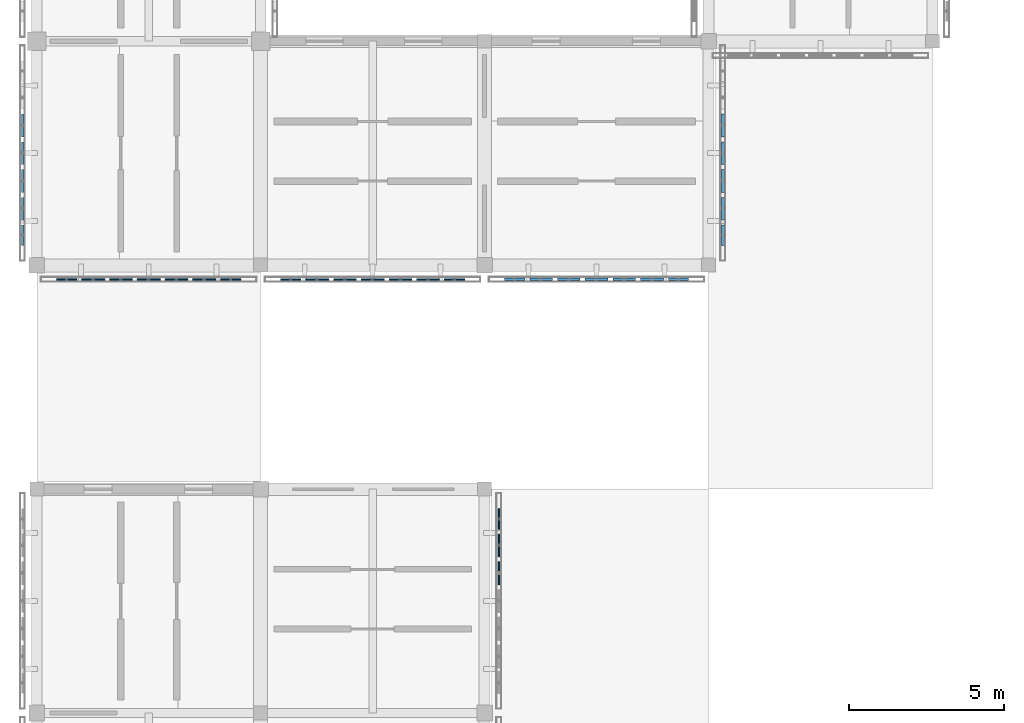
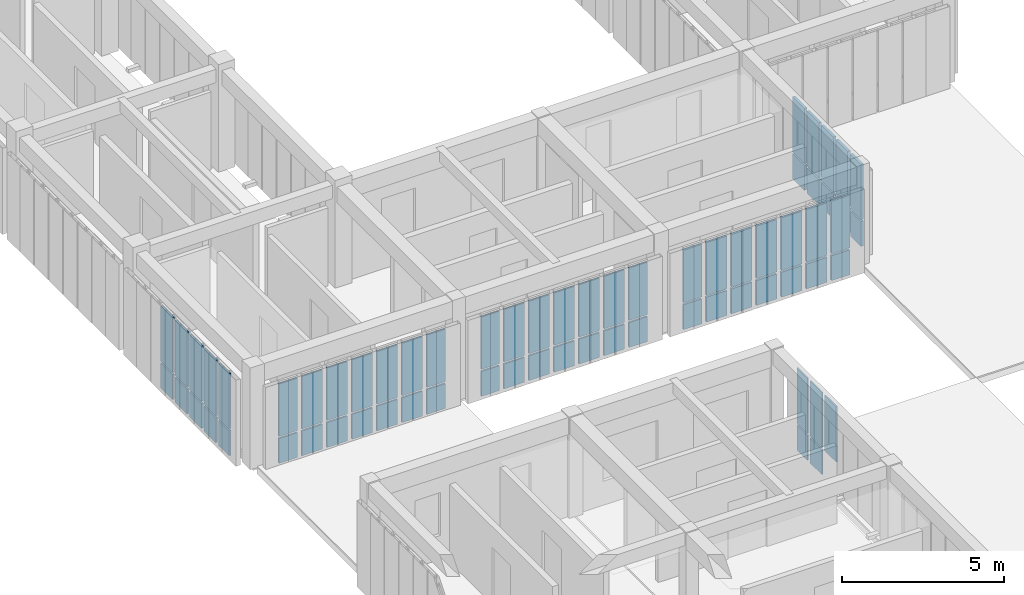
# One storey, part 37 of 67: 67 plates, 6 elements without a shape of their own.
"""IFC4 building model written with IfcOpenShell, lengths in metres."""

from ifc_helpers import new_model, si_unit, direction, frame, origin, origin_2d, place, context, subcontext, project, spatial, rectangle, extrude, material, layer, layer_set, type_object, element, aggregate, save


model = new_model("IFC4")

# Units and contexts
model_context = context("Model", 3, precision=1e-05, world=origin(), true_north=direction((0.0, 1.0)))
body_context = subcontext(model_context, "Body", "Model", "MODEL_VIEW")
ifc_project = project(units=[si_unit("LENGTHUNIT", "METRE"), si_unit("AREAUNIT", "SQUARE_METRE"), si_unit("VOLUMEUNIT", "CUBIC_METRE"), si_unit("PLANEANGLEUNIT", "RADIAN"), si_unit("MASSUNIT", "GRAM", prefix="KILO")], contexts=[model_context])

# Site, building, storey
site_placement = place(None, origin())
site = spatial("IfcSite", under=ifc_project, at=site_placement, CompositionType="ELEMENT")
building_placement = place(site_placement, origin())
building = spatial("IfcBuilding", under=site, at=building_placement, Name="Aldebral Square Health Centre", CompositionType="ELEMENT")
storey_placement = place(building_placement, frame((0.0, 0.0, 13.5)))
storey = spatial("IfcBuildingStorey", under=building, at=storey_placement, Name="L03", CompositionType="ELEMENT", Elevation=13.5)

# Curtain wall, plates
ifc_material_1 = material(Name="Aluminium and low-E solar glass", Category="aluminium")
curtain_wall_type = type_object("IfcCurtainWallType", Name="CW-FIN-SYS", PredefinedType="USERDEFINED", material=ifc_material_1)
curtain_wall_1_placement = place(storey_placement, origin())
curtain_wall_1 = element("IfcCurtainWall", 1, at=curtain_wall_1_placement, inside=storey, type_object=curtain_wall_type, Name="L03 V6 finned curtain wall L03-V6-01-06-E", ObjectType="SOLAR_CURTAIN_WALL", PredefinedType="USERDEFINED")
ifc_material_2 = material(Name="Solar-control low-E double glass", Category="glass")
ifc_layer_1 = layer(ifc_material_2, 0.050048828125, Name="Solar-control low-E double glass", Category="glass")
ifc_layer_set_1 = layer_set([ifc_layer_1], Name="Solar-control low-E double glass")
plate_type_1 = type_object("IfcPlateType", Name="CWP-GLZ-4", PredefinedType="CURTAIN_PANEL", material=ifc_layer_set_1)
plate_1_placement = place(storey_placement, frame((14.860107421875, 47.69140625, 1.08740234375), z_axis=(0.0, 0.0, 1.0), x_axis=(0.0, 1.0, 0.0)))
plate_1 = element("IfcPlate", 2, at=plate_1_placement, type_object=plate_type_1, Name="CW1 panel 5.2", PredefinedType="CURTAIN_PANEL", context=body_context, shape_type="SweptSolid", body=[
    extrude(rectangle(XDim=0.7314453125, YDim=0.050048828125, at=origin_2d()), origin(), (0.0, 0.0, 1.0), 2.077392578125),
])
plate_2_placement = place(storey_placement, frame((14.860107421875, 48.582763671875, 0.074951171875), z_axis=(0.0, 0.0, 1.0), x_axis=(0.0, 1.0, 0.0)))
plate_2 = element("IfcPlate", 3, at=plate_2_placement, type_object=plate_type_1, Name="CW1 panel 6.1", PredefinedType="CURTAIN_PANEL", context=body_context, shape_type="SweptSolid", body=[
    extrude(rectangle(XDim=0.7314453125, YDim=0.050048828125, at=origin_2d()), origin(), (0.0, 0.0, 1.0), 0.9375),
])
plate_3_placement = place(storey_placement, frame((14.860107421875, 48.582763671875, 1.08740234375), z_axis=(0.0, 0.0, 1.0), x_axis=(0.0, 1.0, 0.0)))
plate_3 = element("IfcPlate", 4, at=plate_3_placement, type_object=plate_type_1, Name="CW1 panel 6.2", PredefinedType="CURTAIN_PANEL", context=body_context, shape_type="SweptSolid", body=[
    extrude(rectangle(XDim=0.7314453125, YDim=0.050048828125, at=origin_2d()), origin(), (0.0, 0.0, 1.0), 2.077392578125),
])
plate_4_placement = place(storey_placement, frame((14.860107421875, 49.434326171875, 0.074951171875), z_axis=(0.0, 0.0, 1.0), x_axis=(0.0, 1.0, 0.0)))
plate_4 = element("IfcPlate", 5, at=plate_4_placement, type_object=plate_type_1, Name="CW1 panel 7.1", PredefinedType="CURTAIN_PANEL", context=body_context, shape_type="SweptSolid", body=[
    extrude(rectangle(XDim=0.6513671875, YDim=0.050048828125, at=origin_2d()), origin(), (0.0, 0.0, 1.0), 0.9375),
])
plate_5_placement = place(storey_placement, frame((14.860107421875, 49.434326171875, 1.08740234375), z_axis=(0.0, 0.0, 1.0), x_axis=(0.0, 1.0, 0.0)))
plate_5 = element("IfcPlate", 6, at=plate_5_placement, type_object=plate_type_1, Name="CW1 panel 7.2", PredefinedType="CURTAIN_PANEL", context=body_context, shape_type="SweptSolid", body=[
    extrude(rectangle(XDim=0.6513671875, YDim=0.050048828125, at=origin_2d()), origin(), (0.0, 0.0, 1.0), 2.077392578125),
])
aggregate(curtain_wall_1, [plate_1, plate_2, plate_3, plate_4, plate_5])

curtain_wall_2_placement = place(storey_placement, origin())
curtain_wall_2 = element("IfcCurtainWall", 7, at=curtain_wall_2_placement, inside=storey, type_object=curtain_wall_type, Name="L03 V4 finned curtain wall L03-V4-00-08-S", ObjectType="SOLAR_CURTAIN_WALL", PredefinedType="USERDEFINED")
ifc_layer_2 = layer(ifc_material_2, 0.06005859375, Name="Solar-control low-E double glass", Category="glass")
ifc_layer_set_2 = layer_set([ifc_layer_2], Name="Solar-control low-E double glass")
plate_type_2 = type_object("IfcPlateType", Name="CWP-GLZ-5", PredefinedType="CURTAIN_PANEL", material=ifc_layer_set_2)
plate_6_placement = place(storey_placement, frame((0.9658203125, 57.139892578125, 0.074951171875), z_axis=(0.0, 0.0, 1.0), x_axis=(1.0, 0.0, 0.0)))
plate_6 = element("IfcPlate", 8, at=plate_6_placement, type_object=plate_type_2, Name="CW1 panel 1.1", PredefinedType="CURTAIN_PANEL", context=body_context, shape_type="SweptSolid", body=[
    extrude(rectangle(XDim=0.6513671875, YDim=0.06005859375, at=origin_2d()), origin(), (0.0, 0.0, 1.0), 0.9375),
])
plate_7_placement = place(storey_placement, frame((0.9658203125, 57.139892578125, 1.08740234375), z_axis=(0.0, 0.0, 1.0), x_axis=(1.0, 0.0, 0.0)))
plate_7 = element("IfcPlate", 9, at=plate_7_placement, type_object=plate_type_2, Name="CW1 panel 1.2", PredefinedType="CURTAIN_PANEL", context=body_context, shape_type="SweptSolid", body=[
    extrude(rectangle(XDim=0.6513671875, YDim=0.06005859375, at=origin_2d()), origin(), (0.0, 0.0, 1.0), 1.9775390625),
])
plate_8_placement = place(storey_placement, frame((1.817138671875, 57.139892578125, 0.074951171875), z_axis=(0.0, 0.0, 1.0), x_axis=(1.0, 0.0, 0.0)))
plate_8 = element("IfcPlate", 10, at=plate_8_placement, type_object=plate_type_2, Name="CW1 panel 2.1", PredefinedType="CURTAIN_PANEL", context=body_context, shape_type="SweptSolid", body=[
    extrude(rectangle(XDim=0.7314453125, YDim=0.06005859375, at=origin_2d()), origin(), (0.0, 0.0, 1.0), 0.9375),
])
plate_9_placement = place(storey_placement, frame((1.817138671875, 57.139892578125, 1.08740234375), z_axis=(0.0, 0.0, 1.0), x_axis=(1.0, 0.0, 0.0)))
plate_9 = element("IfcPlate", 11, at=plate_9_placement, type_object=plate_type_2, Name="CW1 panel 2.2", PredefinedType="CURTAIN_PANEL", context=body_context, shape_type="SweptSolid", body=[
    extrude(rectangle(XDim=0.7314453125, YDim=0.06005859375, at=origin_2d()), origin(), (0.0, 0.0, 1.0), 1.9775390625),
])
plate_10_placement = place(storey_placement, frame((2.70849609375, 57.139892578125, 0.074951171875), z_axis=(0.0, 0.0, 1.0), x_axis=(1.0, 0.0, 0.0)))
plate_10 = element("IfcPlate", 12, at=plate_10_placement, type_object=plate_type_2, Name="CW1 panel 3.1", PredefinedType="CURTAIN_PANEL", context=body_context, shape_type="SweptSolid", body=[
    extrude(rectangle(XDim=0.7314453125, YDim=0.06005859375, at=origin_2d()), origin(), (0.0, 0.0, 1.0), 0.9375),
])
plate_11_placement = place(storey_placement, frame((2.70849609375, 57.139892578125, 1.08740234375), z_axis=(0.0, 0.0, 1.0), x_axis=(1.0, 0.0, 0.0)))
plate_11 = element("IfcPlate", 13, at=plate_11_placement, type_object=plate_type_2, Name="CW1 panel 3.2", PredefinedType="CURTAIN_PANEL", context=body_context, shape_type="SweptSolid", body=[
    extrude(rectangle(XDim=0.7314453125, YDim=0.06005859375, at=origin_2d()), origin(), (0.0, 0.0, 1.0), 1.9775390625),
])
plate_12_placement = place(storey_placement, frame((3.60009765625, 57.139892578125, 0.074951171875), z_axis=(0.0, 0.0, 1.0), x_axis=(1.0, 0.0, 0.0)))
plate_12 = element("IfcPlate", 14, at=plate_12_placement, type_object=plate_type_2, Name="CW1 panel 4.1", PredefinedType="CURTAIN_PANEL", context=body_context, shape_type="SweptSolid", body=[
    extrude(rectangle(XDim=0.7314453125, YDim=0.06005859375, at=origin_2d()), origin(), (0.0, 0.0, 1.0), 0.9375),
])
plate_13_placement = place(storey_placement, frame((3.60009765625, 57.139892578125, 1.08740234375), z_axis=(0.0, 0.0, 1.0), x_axis=(1.0, 0.0, 0.0)))
plate_13 = element("IfcPlate", 15, at=plate_13_placement, type_object=plate_type_2, Name="CW1 panel 4.2", PredefinedType="CURTAIN_PANEL", context=body_context, shape_type="SweptSolid", body=[
    extrude(rectangle(XDim=0.7314453125, YDim=0.06005859375, at=origin_2d()), origin(), (0.0, 0.0, 1.0), 1.9775390625),
])
plate_14_placement = place(storey_placement, frame((4.491455078125, 57.139892578125, 0.074951171875), z_axis=(0.0, 0.0, 1.0), x_axis=(1.0, 0.0, 0.0)))
plate_14 = element("IfcPlate", 16, at=plate_14_placement, type_object=plate_type_2, Name="CW1 panel 5.1", PredefinedType="CURTAIN_PANEL", context=body_context, shape_type="SweptSolid", body=[
    extrude(rectangle(XDim=0.7314453125, YDim=0.06005859375, at=origin_2d()), origin(), (0.0, 0.0, 1.0), 0.9375),
])
plate_15_placement = place(storey_placement, frame((4.491455078125, 57.139892578125, 1.08740234375), z_axis=(0.0, 0.0, 1.0), x_axis=(1.0, 0.0, 0.0)))
plate_15 = element("IfcPlate", 17, at=plate_15_placement, type_object=plate_type_2, Name="CW1 panel 5.2", PredefinedType="CURTAIN_PANEL", context=body_context, shape_type="SweptSolid", body=[
    extrude(rectangle(XDim=0.7314453125, YDim=0.06005859375, at=origin_2d()), origin(), (0.0, 0.0, 1.0), 1.9775390625),
])
plate_16_placement = place(storey_placement, frame((5.3828125, 57.139892578125, 0.074951171875), z_axis=(0.0, 0.0, 1.0), x_axis=(1.0, 0.0, 0.0)))
plate_16 = element("IfcPlate", 18, at=plate_16_placement, type_object=plate_type_2, Name="CW1 panel 6.1", PredefinedType="CURTAIN_PANEL", context=body_context, shape_type="SweptSolid", body=[
    extrude(rectangle(XDim=0.7314453125, YDim=0.06005859375, at=origin_2d()), origin(), (0.0, 0.0, 1.0), 0.9375),
])
plate_17_placement = place(storey_placement, frame((5.3828125, 57.139892578125, 1.08740234375), z_axis=(0.0, 0.0, 1.0), x_axis=(1.0, 0.0, 0.0)))
plate_17 = element("IfcPlate", 19, at=plate_17_placement, type_object=plate_type_2, Name="CW1 panel 6.2", PredefinedType="CURTAIN_PANEL", context=body_context, shape_type="SweptSolid", body=[
    extrude(rectangle(XDim=0.7314453125, YDim=0.06005859375, at=origin_2d()), origin(), (0.0, 0.0, 1.0), 1.9775390625),
])
plate_18_placement = place(storey_placement, frame((6.234375, 57.139892578125, 0.074951171875), z_axis=(0.0, 0.0, 1.0), x_axis=(1.0, 0.0, 0.0)))
plate_18 = element("IfcPlate", 20, at=plate_18_placement, type_object=plate_type_2, Name="CW1 panel 7.1", PredefinedType="CURTAIN_PANEL", context=body_context, shape_type="SweptSolid", body=[
    extrude(rectangle(XDim=0.6513671875, YDim=0.06005859375, at=origin_2d()), origin(), (0.0, 0.0, 1.0), 0.9375),
])
plate_19_placement = place(storey_placement, frame((6.234375, 57.139892578125, 1.08740234375), z_axis=(0.0, 0.0, 1.0), x_axis=(1.0, 0.0, 0.0)))
plate_19 = element("IfcPlate", 21, at=plate_19_placement, type_object=plate_type_2, Name="CW1 panel 7.2", PredefinedType="CURTAIN_PANEL", context=body_context, shape_type="SweptSolid", body=[
    extrude(rectangle(XDim=0.6513671875, YDim=0.06005859375, at=origin_2d()), origin(), (0.0, 0.0, 1.0), 1.9775390625),
])
aggregate(curtain_wall_2, [plate_6, plate_7, plate_8, plate_9, plate_10, plate_11, plate_12, plate_13, plate_14, plate_15, plate_16, plate_17, plate_18, plate_19])

curtain_wall_3_placement = place(storey_placement, origin())
curtain_wall_3 = element("IfcCurtainWall", 22, at=curtain_wall_3_placement, inside=storey, type_object=curtain_wall_type, Name="L03 V4 finned curtain wall L03-V4-01-08-S", ObjectType="SOLAR_CURTAIN_WALL", PredefinedType="USERDEFINED")
plate_20_placement = place(storey_placement, frame((8.165771484375, 57.139892578125, 0.074951171875), z_axis=(0.0, 0.0, 1.0), x_axis=(1.0, 0.0, 0.0)))
plate_20 = element("IfcPlate", 23, at=plate_20_placement, type_object=plate_type_2, Name="CW1 panel 1.1", PredefinedType="CURTAIN_PANEL", context=body_context, shape_type="SweptSolid", body=[
    extrude(rectangle(XDim=0.6513671875, YDim=0.06005859375, at=origin_2d()), origin(), (0.0, 0.0, 1.0), 0.9375),
])
plate_21_placement = place(storey_placement, frame((8.165771484375, 57.139892578125, 1.08740234375), z_axis=(0.0, 0.0, 1.0), x_axis=(1.0, 0.0, 0.0)))
plate_21 = element("IfcPlate", 24, at=plate_21_placement, type_object=plate_type_2, Name="CW1 panel 1.2", PredefinedType="CURTAIN_PANEL", context=body_context, shape_type="SweptSolid", body=[
    extrude(rectangle(XDim=0.6513671875, YDim=0.06005859375, at=origin_2d()), origin(), (0.0, 0.0, 1.0), 1.9775390625),
])
plate_22_placement = place(storey_placement, frame((9.01708984375, 57.139892578125, 0.074951171875), z_axis=(0.0, 0.0, 1.0), x_axis=(1.0, 0.0, 0.0)))
plate_22 = element("IfcPlate", 25, at=plate_22_placement, type_object=plate_type_2, Name="CW1 panel 2.1", PredefinedType="CURTAIN_PANEL", context=body_context, shape_type="SweptSolid", body=[
    extrude(rectangle(XDim=0.7314453125, YDim=0.06005859375, at=origin_2d()), origin(), (0.0, 0.0, 1.0), 0.9375),
])
plate_23_placement = place(storey_placement, frame((9.01708984375, 57.139892578125, 1.08740234375), z_axis=(0.0, 0.0, 1.0), x_axis=(1.0, 0.0, 0.0)))
plate_23 = element("IfcPlate", 26, at=plate_23_placement, type_object=plate_type_2, Name="CW1 panel 2.2", PredefinedType="CURTAIN_PANEL", context=body_context, shape_type="SweptSolid", body=[
    extrude(rectangle(XDim=0.7314453125, YDim=0.06005859375, at=origin_2d()), origin(), (0.0, 0.0, 1.0), 1.9775390625),
])
plate_24_placement = place(storey_placement, frame((9.90869140625, 57.139892578125, 0.074951171875), z_axis=(0.0, 0.0, 1.0), x_axis=(1.0, 0.0, 0.0)))
plate_24 = element("IfcPlate", 27, at=plate_24_placement, type_object=plate_type_2, Name="CW1 panel 3.1", PredefinedType="CURTAIN_PANEL", context=body_context, shape_type="SweptSolid", body=[
    extrude(rectangle(XDim=0.7314453125, YDim=0.06005859375, at=origin_2d()), origin(), (0.0, 0.0, 1.0), 0.9375),
])
plate_25_placement = place(storey_placement, frame((9.90869140625, 57.139892578125, 1.08740234375), z_axis=(0.0, 0.0, 1.0), x_axis=(1.0, 0.0, 0.0)))
plate_25 = element("IfcPlate", 28, at=plate_25_placement, type_object=plate_type_2, Name="CW1 panel 3.2", PredefinedType="CURTAIN_PANEL", context=body_context, shape_type="SweptSolid", body=[
    extrude(rectangle(XDim=0.7314453125, YDim=0.06005859375, at=origin_2d()), origin(), (0.0, 0.0, 1.0), 1.9775390625),
])
plate_26_placement = place(storey_placement, frame((10.800048828125, 57.139892578125, 0.074951171875), z_axis=(0.0, 0.0, 1.0), x_axis=(1.0, 0.0, 0.0)))
plate_26 = element("IfcPlate", 29, at=plate_26_placement, type_object=plate_type_2, Name="CW1 panel 4.1", PredefinedType="CURTAIN_PANEL", context=body_context, shape_type="SweptSolid", body=[
    extrude(rectangle(XDim=0.7314453125, YDim=0.06005859375, at=origin_2d()), origin(), (0.0, 0.0, 1.0), 0.9375),
])
plate_27_placement = place(storey_placement, frame((10.800048828125, 57.139892578125, 1.08740234375), z_axis=(0.0, 0.0, 1.0), x_axis=(1.0, 0.0, 0.0)))
plate_27 = element("IfcPlate", 30, at=plate_27_placement, type_object=plate_type_2, Name="CW1 panel 4.2", PredefinedType="CURTAIN_PANEL", context=body_context, shape_type="SweptSolid", body=[
    extrude(rectangle(XDim=0.7314453125, YDim=0.06005859375, at=origin_2d()), origin(), (0.0, 0.0, 1.0), 1.9775390625),
])
plate_28_placement = place(storey_placement, frame((11.69140625, 57.139892578125, 0.074951171875), z_axis=(0.0, 0.0, 1.0), x_axis=(1.0, 0.0, 0.0)))
plate_28 = element("IfcPlate", 31, at=plate_28_placement, type_object=plate_type_2, Name="CW1 panel 5.1", PredefinedType="CURTAIN_PANEL", context=body_context, shape_type="SweptSolid", body=[
    extrude(rectangle(XDim=0.7314453125, YDim=0.06005859375, at=origin_2d()), origin(), (0.0, 0.0, 1.0), 0.9375),
])
plate_29_placement = place(storey_placement, frame((11.69140625, 57.139892578125, 1.08740234375), z_axis=(0.0, 0.0, 1.0), x_axis=(1.0, 0.0, 0.0)))
plate_29 = element("IfcPlate", 32, at=plate_29_placement, type_object=plate_type_2, Name="CW1 panel 5.2", PredefinedType="CURTAIN_PANEL", context=body_context, shape_type="SweptSolid", body=[
    extrude(rectangle(XDim=0.7314453125, YDim=0.06005859375, at=origin_2d()), origin(), (0.0, 0.0, 1.0), 1.9775390625),
])
plate_30_placement = place(storey_placement, frame((12.582763671875, 57.139892578125, 0.074951171875), z_axis=(0.0, 0.0, 1.0), x_axis=(1.0, 0.0, 0.0)))
plate_30 = element("IfcPlate", 33, at=plate_30_placement, type_object=plate_type_2, Name="CW1 panel 6.1", PredefinedType="CURTAIN_PANEL", context=body_context, shape_type="SweptSolid", body=[
    extrude(rectangle(XDim=0.7314453125, YDim=0.06005859375, at=origin_2d()), origin(), (0.0, 0.0, 1.0), 0.9375),
])
plate_31_placement = place(storey_placement, frame((12.582763671875, 57.139892578125, 1.08740234375), z_axis=(0.0, 0.0, 1.0), x_axis=(1.0, 0.0, 0.0)))
plate_31 = element("IfcPlate", 34, at=plate_31_placement, type_object=plate_type_2, Name="CW1 panel 6.2", PredefinedType="CURTAIN_PANEL", context=body_context, shape_type="SweptSolid", body=[
    extrude(rectangle(XDim=0.7314453125, YDim=0.06005859375, at=origin_2d()), origin(), (0.0, 0.0, 1.0), 1.9775390625),
])
plate_32_placement = place(storey_placement, frame((13.434326171875, 57.139892578125, 0.074951171875), z_axis=(0.0, 0.0, 1.0), x_axis=(1.0, 0.0, 0.0)))
plate_32 = element("IfcPlate", 35, at=plate_32_placement, type_object=plate_type_2, Name="CW1 panel 7.1", PredefinedType="CURTAIN_PANEL", context=body_context, shape_type="SweptSolid", body=[
    extrude(rectangle(XDim=0.6513671875, YDim=0.06005859375, at=origin_2d()), origin(), (0.0, 0.0, 1.0), 0.9375),
])
plate_33_placement = place(storey_placement, frame((13.434326171875, 57.139892578125, 1.08740234375), z_axis=(0.0, 0.0, 1.0), x_axis=(1.0, 0.0, 0.0)))
plate_33 = element("IfcPlate", 36, at=plate_33_placement, type_object=plate_type_2, Name="CW1 panel 7.2", PredefinedType="CURTAIN_PANEL", context=body_context, shape_type="SweptSolid", body=[
    extrude(rectangle(XDim=0.6513671875, YDim=0.06005859375, at=origin_2d()), origin(), (0.0, 0.0, 1.0), 1.9775390625),
])
aggregate(curtain_wall_3, [plate_20, plate_21, plate_22, plate_23, plate_24, plate_25, plate_26, plate_27, plate_28, plate_29, plate_30, plate_31, plate_32, plate_33])

curtain_wall_4_placement = place(storey_placement, origin())
curtain_wall_4 = element("IfcCurtainWall", 37, at=curtain_wall_4_placement, inside=storey, type_object=curtain_wall_type, Name="L03 V4 finned curtain wall L03-V4-00-08-W", ObjectType="SOLAR_CURTAIN_WALL", PredefinedType="USERDEFINED")
ifc_layer_3 = layer(ifc_material_2, 0.070068359375, Name="Solar-control low-E double glass", Category="glass")
ifc_layer_set_3 = layer_set([ifc_layer_3], Name="Solar-control low-E double glass")
plate_type_3 = type_object("IfcPlateType", Name="CWP-GLZ-6", PredefinedType="CURTAIN_PANEL", material=ifc_layer_set_3)
plate_34_placement = place(storey_placement, frame((-0.4599609375, 62.09130859375, 0.074951171875), z_axis=(0.0, 0.0, 1.0), x_axis=(0.0, -1.0, 0.0)))
plate_34 = element("IfcPlate", 38, at=plate_34_placement, type_object=plate_type_3, Name="CW1 panel 3.1", PredefinedType="CURTAIN_PANEL", context=body_context, shape_type="SweptSolid", body=[
    extrude(rectangle(XDim=0.7314453125, YDim=0.070068359375, at=origin_2d()), origin(), (0.0, 0.0, 1.0), 0.9375),
])
plate_35_placement = place(storey_placement, frame((-0.4599609375, 62.09130859375, 1.08740234375), z_axis=(0.0, 0.0, 1.0), x_axis=(0.0, -1.0, 0.0)))
plate_35 = element("IfcPlate", 39, at=plate_35_placement, type_object=plate_type_3, Name="CW1 panel 3.2", PredefinedType="CURTAIN_PANEL", context=body_context, shape_type="SweptSolid", body=[
    extrude(rectangle(XDim=0.7314453125, YDim=0.070068359375, at=origin_2d()), origin(), (0.0, 0.0, 1.0), 2.077392578125),
])
plate_36_placement = place(storey_placement, frame((-0.4599609375, 61.199951171875, 0.074951171875), z_axis=(0.0, 0.0, 1.0), x_axis=(0.0, -1.0, 0.0)))
plate_36 = element("IfcPlate", 40, at=plate_36_placement, type_object=plate_type_3, Name="CW1 panel 4.1", PredefinedType="CURTAIN_PANEL", context=body_context, shape_type="SweptSolid", body=[
    extrude(rectangle(XDim=0.7314453125, YDim=0.070068359375, at=origin_2d()), origin(), (0.0, 0.0, 1.0), 0.9375),
])
plate_37_placement = place(storey_placement, frame((-0.4599609375, 61.199951171875, 1.08740234375), z_axis=(0.0, 0.0, 1.0), x_axis=(0.0, -1.0, 0.0)))
plate_37 = element("IfcPlate", 41, at=plate_37_placement, type_object=plate_type_3, Name="CW1 panel 4.2", PredefinedType="CURTAIN_PANEL", context=body_context, shape_type="SweptSolid", body=[
    extrude(rectangle(XDim=0.7314453125, YDim=0.070068359375, at=origin_2d()), origin(), (0.0, 0.0, 1.0), 2.077392578125),
])
plate_38_placement = place(storey_placement, frame((-0.4599609375, 60.30859375, 0.074951171875), z_axis=(0.0, 0.0, 1.0), x_axis=(0.0, -1.0, 0.0)))
plate_38 = element("IfcPlate", 42, at=plate_38_placement, type_object=plate_type_3, Name="CW1 panel 5.1", PredefinedType="CURTAIN_PANEL", context=body_context, shape_type="SweptSolid", body=[
    extrude(rectangle(XDim=0.7314453125, YDim=0.070068359375, at=origin_2d()), origin(), (0.0, 0.0, 1.0), 0.9375),
])
plate_39_placement = place(storey_placement, frame((-0.4599609375, 60.30859375, 1.08740234375), z_axis=(0.0, 0.0, 1.0), x_axis=(0.0, -1.0, 0.0)))
plate_39 = element("IfcPlate", 43, at=plate_39_placement, type_object=plate_type_3, Name="CW1 panel 5.2", PredefinedType="CURTAIN_PANEL", context=body_context, shape_type="SweptSolid", body=[
    extrude(rectangle(XDim=0.7314453125, YDim=0.070068359375, at=origin_2d()), origin(), (0.0, 0.0, 1.0), 2.077392578125),
])
plate_40_placement = place(storey_placement, frame((-0.4599609375, 59.417236328125, 0.074951171875), z_axis=(0.0, 0.0, 1.0), x_axis=(0.0, -1.0, 0.0)))
plate_40 = element("IfcPlate", 44, at=plate_40_placement, type_object=plate_type_3, Name="CW1 panel 6.1", PredefinedType="CURTAIN_PANEL", context=body_context, shape_type="SweptSolid", body=[
    extrude(rectangle(XDim=0.7314453125, YDim=0.070068359375, at=origin_2d()), origin(), (0.0, 0.0, 1.0), 0.9375),
])
plate_41_placement = place(storey_placement, frame((-0.4599609375, 59.417236328125, 1.08740234375), z_axis=(0.0, 0.0, 1.0), x_axis=(0.0, -1.0, 0.0)))
plate_41 = element("IfcPlate", 45, at=plate_41_placement, type_object=plate_type_3, Name="CW1 panel 6.2", PredefinedType="CURTAIN_PANEL", context=body_context, shape_type="SweptSolid", body=[
    extrude(rectangle(XDim=0.7314453125, YDim=0.070068359375, at=origin_2d()), origin(), (0.0, 0.0, 1.0), 2.077392578125),
])
plate_42_placement = place(storey_placement, frame((-0.4599609375, 58.565673828125, 0.074951171875), z_axis=(0.0, 0.0, 1.0), x_axis=(0.0, -1.0, 0.0)))
plate_42 = element("IfcPlate", 46, at=plate_42_placement, type_object=plate_type_3, Name="CW1 panel 7.1", PredefinedType="CURTAIN_PANEL", context=body_context, shape_type="SweptSolid", body=[
    extrude(rectangle(XDim=0.6513671875, YDim=0.070068359375, at=origin_2d()), origin(), (0.0, 0.0, 1.0), 0.9375),
])
plate_43_placement = place(storey_placement, frame((-0.4599609375, 58.565673828125, 1.08740234375), z_axis=(0.0, 0.0, 1.0), x_axis=(0.0, -1.0, 0.0)))
plate_43 = element("IfcPlate", 47, at=plate_43_placement, type_object=plate_type_3, Name="CW1 panel 7.2", PredefinedType="CURTAIN_PANEL", context=body_context, shape_type="SweptSolid", body=[
    extrude(rectangle(XDim=0.6513671875, YDim=0.070068359375, at=origin_2d()), origin(), (0.0, 0.0, 1.0), 2.077392578125),
])
aggregate(curtain_wall_4, [plate_34, plate_35, plate_36, plate_37, plate_38, plate_39, plate_40, plate_41, plate_42, plate_43])

curtain_wall_5_placement = place(storey_placement, origin())
curtain_wall_5 = element("IfcCurtainWall", 48, at=curtain_wall_5_placement, inside=storey, type_object=curtain_wall_type, Name="L03 V4 finned curtain wall L03-V4-02-08-S", ObjectType="SOLAR_CURTAIN_WALL", PredefinedType="USERDEFINED")
ifc_layer_4 = layer(ifc_material_2, 0.080078125, Name="Solar-control low-E double glass", Category="glass")
ifc_layer_set_4 = layer_set([ifc_layer_4], Name="Solar-control low-E double glass")
plate_type_4 = type_object("IfcPlateType", Name="CWP-GLZ-7", PredefinedType="CURTAIN_PANEL", material=ifc_layer_set_4)
plate_44_placement = place(storey_placement, frame((15.36572265625, 57.139892578125, 0.074951171875), z_axis=(0.0, 0.0, 1.0), x_axis=(1.0, 0.0, 0.0)))
plate_44 = element("IfcPlate", 49, at=plate_44_placement, type_object=plate_type_4, Name="CW1 panel 1.1", PredefinedType="CURTAIN_PANEL", context=body_context, shape_type="SweptSolid", body=[
    extrude(rectangle(XDim=0.6513671875, YDim=0.080078125, at=origin_2d()), origin(), (0.0, 0.0, 1.0), 0.9375),
])
plate_45_placement = place(storey_placement, frame((15.36572265625, 57.139892578125, 1.08740234375), z_axis=(0.0, 0.0, 1.0), x_axis=(1.0, 0.0, 0.0)))
plate_45 = element("IfcPlate", 50, at=plate_45_placement, type_object=plate_type_4, Name="CW1 panel 1.2", PredefinedType="CURTAIN_PANEL", context=body_context, shape_type="SweptSolid", body=[
    extrude(rectangle(XDim=0.6513671875, YDim=0.080078125, at=origin_2d()), origin(), (0.0, 0.0, 1.0), 1.9775390625),
])
plate_46_placement = place(storey_placement, frame((16.217041015625, 57.139892578125, 0.074951171875), z_axis=(0.0, 0.0, 1.0), x_axis=(1.0, 0.0, 0.0)))
plate_46 = element("IfcPlate", 51, at=plate_46_placement, type_object=plate_type_4, Name="CW1 panel 2.1", PredefinedType="CURTAIN_PANEL", context=body_context, shape_type="SweptSolid", body=[
    extrude(rectangle(XDim=0.7314453125, YDim=0.080078125, at=origin_2d()), origin(), (0.0, 0.0, 1.0), 0.9375),
])
plate_47_placement = place(storey_placement, frame((16.217041015625, 57.139892578125, 1.08740234375), z_axis=(0.0, 0.0, 1.0), x_axis=(1.0, 0.0, 0.0)))
plate_47 = element("IfcPlate", 52, at=plate_47_placement, type_object=plate_type_4, Name="CW1 panel 2.2", PredefinedType="CURTAIN_PANEL", context=body_context, shape_type="SweptSolid", body=[
    extrude(rectangle(XDim=0.7314453125, YDim=0.080078125, at=origin_2d()), origin(), (0.0, 0.0, 1.0), 1.9775390625),
])
plate_48_placement = place(storey_placement, frame((17.108642578125, 57.139892578125, 0.074951171875), z_axis=(0.0, 0.0, 1.0), x_axis=(1.0, 0.0, 0.0)))
plate_48 = element("IfcPlate", 53, at=plate_48_placement, type_object=plate_type_4, Name="CW1 panel 3.1", PredefinedType="CURTAIN_PANEL", context=body_context, shape_type="SweptSolid", body=[
    extrude(rectangle(XDim=0.7314453125, YDim=0.080078125, at=origin_2d()), origin(), (0.0, 0.0, 1.0), 0.9375),
])
plate_49_placement = place(storey_placement, frame((17.108642578125, 57.139892578125, 1.08740234375), z_axis=(0.0, 0.0, 1.0), x_axis=(1.0, 0.0, 0.0)))
plate_49 = element("IfcPlate", 54, at=plate_49_placement, type_object=plate_type_4, Name="CW1 panel 3.2", PredefinedType="CURTAIN_PANEL", context=body_context, shape_type="SweptSolid", body=[
    extrude(rectangle(XDim=0.7314453125, YDim=0.080078125, at=origin_2d()), origin(), (0.0, 0.0, 1.0), 1.9775390625),
])
plate_50_placement = place(storey_placement, frame((18.0, 57.139892578125, 0.074951171875), z_axis=(0.0, 0.0, 1.0), x_axis=(1.0, 0.0, 0.0)))
plate_50 = element("IfcPlate", 55, at=plate_50_placement, type_object=plate_type_4, Name="CW1 panel 4.1", PredefinedType="CURTAIN_PANEL", context=body_context, shape_type="SweptSolid", body=[
    extrude(rectangle(XDim=0.7314453125, YDim=0.080078125, at=origin_2d()), origin(), (0.0, 0.0, 1.0), 0.9375),
])
plate_51_placement = place(storey_placement, frame((18.0, 57.139892578125, 1.08740234375), z_axis=(0.0, 0.0, 1.0), x_axis=(1.0, 0.0, 0.0)))
plate_51 = element("IfcPlate", 56, at=plate_51_placement, type_object=plate_type_4, Name="CW1 panel 4.2", PredefinedType="CURTAIN_PANEL", context=body_context, shape_type="SweptSolid", body=[
    extrude(rectangle(XDim=0.7314453125, YDim=0.080078125, at=origin_2d()), origin(), (0.0, 0.0, 1.0), 1.9775390625),
])
plate_52_placement = place(storey_placement, frame((18.891357421875, 57.139892578125, 0.074951171875), z_axis=(0.0, 0.0, 1.0), x_axis=(1.0, 0.0, 0.0)))
plate_52 = element("IfcPlate", 57, at=plate_52_placement, type_object=plate_type_4, Name="CW1 panel 5.1", PredefinedType="CURTAIN_PANEL", context=body_context, shape_type="SweptSolid", body=[
    extrude(rectangle(XDim=0.7314453125, YDim=0.080078125, at=origin_2d()), origin(), (0.0, 0.0, 1.0), 0.9375),
])
plate_53_placement = place(storey_placement, frame((18.891357421875, 57.139892578125, 1.08740234375), z_axis=(0.0, 0.0, 1.0), x_axis=(1.0, 0.0, 0.0)))
plate_53 = element("IfcPlate", 58, at=plate_53_placement, type_object=plate_type_4, Name="CW1 panel 5.2", PredefinedType="CURTAIN_PANEL", context=body_context, shape_type="SweptSolid", body=[
    extrude(rectangle(XDim=0.7314453125, YDim=0.080078125, at=origin_2d()), origin(), (0.0, 0.0, 1.0), 1.9775390625),
])
plate_54_placement = place(storey_placement, frame((19.782958984375, 57.139892578125, 0.074951171875), z_axis=(0.0, 0.0, 1.0), x_axis=(1.0, 0.0, 0.0)))
plate_54 = element("IfcPlate", 59, at=plate_54_placement, type_object=plate_type_4, Name="CW1 panel 6.1", PredefinedType="CURTAIN_PANEL", context=body_context, shape_type="SweptSolid", body=[
    extrude(rectangle(XDim=0.7314453125, YDim=0.080078125, at=origin_2d()), origin(), (0.0, 0.0, 1.0), 0.9375),
])
plate_55_placement = place(storey_placement, frame((19.782958984375, 57.139892578125, 1.08740234375), z_axis=(0.0, 0.0, 1.0), x_axis=(1.0, 0.0, 0.0)))
plate_55 = element("IfcPlate", 60, at=plate_55_placement, type_object=plate_type_4, Name="CW1 panel 6.2", PredefinedType="CURTAIN_PANEL", context=body_context, shape_type="SweptSolid", body=[
    extrude(rectangle(XDim=0.7314453125, YDim=0.080078125, at=origin_2d()), origin(), (0.0, 0.0, 1.0), 1.9775390625),
])
plate_56_placement = place(storey_placement, frame((20.63427734375, 57.139892578125, 0.074951171875), z_axis=(0.0, 0.0, 1.0), x_axis=(1.0, 0.0, 0.0)))
plate_56 = element("IfcPlate", 61, at=plate_56_placement, type_object=plate_type_4, Name="CW1 panel 7.1", PredefinedType="CURTAIN_PANEL", context=body_context, shape_type="SweptSolid", body=[
    extrude(rectangle(XDim=0.6513671875, YDim=0.080078125, at=origin_2d()), origin(), (0.0, 0.0, 1.0), 0.9375),
])
plate_57_placement = place(storey_placement, frame((20.63427734375, 57.139892578125, 1.08740234375), z_axis=(0.0, 0.0, 1.0), x_axis=(1.0, 0.0, 0.0)))
plate_57 = element("IfcPlate", 62, at=plate_57_placement, type_object=plate_type_4, Name="CW1 panel 7.2", PredefinedType="CURTAIN_PANEL", context=body_context, shape_type="SweptSolid", body=[
    extrude(rectangle(XDim=0.6513671875, YDim=0.080078125, at=origin_2d()), origin(), (0.0, 0.0, 1.0), 1.9775390625),
])
aggregate(curtain_wall_5, [plate_44, plate_45, plate_46, plate_47, plate_48, plate_49, plate_50, plate_51, plate_52, plate_53, plate_54, plate_55, plate_56, plate_57])

curtain_wall_6_placement = place(storey_placement, origin())
curtain_wall_6 = element("IfcCurtainWall", 63, at=curtain_wall_6_placement, inside=storey, type_object=curtain_wall_type, Name="L03 V4 finned curtain wall L03-V4-02-08-E", ObjectType="SOLAR_CURTAIN_WALL", PredefinedType="USERDEFINED")
ifc_layer_5 = layer(ifc_material_2, 0.090087890625, Name="Solar-control low-E double glass", Category="glass")
ifc_layer_set_5 = layer_set([ifc_layer_5], Name="Solar-control low-E double glass")
plate_type_5 = type_object("IfcPlateType", Name="CWP-GLZ-8", PredefinedType="CURTAIN_PANEL", material=ifc_layer_set_5)
plate_58_placement = place(storey_placement, frame((22.06005859375, 58.565673828125, 0.074951171875), z_axis=(0.0, 0.0, 1.0), x_axis=(0.0, 1.0, 0.0)))
plate_58 = element("IfcPlate", 64, at=plate_58_placement, type_object=plate_type_5, Name="CW1 panel 1.1", PredefinedType="CURTAIN_PANEL", context=body_context, shape_type="SweptSolid", body=[
    extrude(rectangle(XDim=0.6513671875, YDim=0.090087890625, at=origin_2d()), origin(), (0.0, 0.0, 1.0), 0.9375),
])
plate_59_placement = place(storey_placement, frame((22.06005859375, 58.565673828125, 1.08740234375), z_axis=(0.0, 0.0, 1.0), x_axis=(0.0, 1.0, 0.0)))
plate_59 = element("IfcPlate", 65, at=plate_59_placement, type_object=plate_type_5, Name="CW1 panel 1.2", PredefinedType="CURTAIN_PANEL", context=body_context, shape_type="SweptSolid", body=[
    extrude(rectangle(XDim=0.6513671875, YDim=0.090087890625, at=origin_2d()), origin(), (0.0, 0.0, 1.0), 2.077392578125),
])
plate_60_placement = place(storey_placement, frame((22.06005859375, 59.417236328125, 0.074951171875), z_axis=(0.0, 0.0, 1.0), x_axis=(0.0, 1.0, 0.0)))
plate_60 = element("IfcPlate", 66, at=plate_60_placement, type_object=plate_type_5, Name="CW1 panel 2.1", PredefinedType="CURTAIN_PANEL", context=body_context, shape_type="SweptSolid", body=[
    extrude(rectangle(XDim=0.7314453125, YDim=0.090087890625, at=origin_2d()), origin(), (0.0, 0.0, 1.0), 0.9375),
])
plate_61_placement = place(storey_placement, frame((22.06005859375, 59.417236328125, 1.08740234375), z_axis=(0.0, 0.0, 1.0), x_axis=(0.0, 1.0, 0.0)))
plate_61 = element("IfcPlate", 67, at=plate_61_placement, type_object=plate_type_5, Name="CW1 panel 2.2", PredefinedType="CURTAIN_PANEL", context=body_context, shape_type="SweptSolid", body=[
    extrude(rectangle(XDim=0.7314453125, YDim=0.090087890625, at=origin_2d()), origin(), (0.0, 0.0, 1.0), 2.077392578125),
])
plate_62_placement = place(storey_placement, frame((22.06005859375, 60.30859375, 0.074951171875), z_axis=(0.0, 0.0, 1.0), x_axis=(0.0, 1.0, 0.0)))
plate_62 = element("IfcPlate", 68, at=plate_62_placement, type_object=plate_type_5, Name="CW1 panel 3.1", PredefinedType="CURTAIN_PANEL", context=body_context, shape_type="SweptSolid", body=[
    extrude(rectangle(XDim=0.7314453125, YDim=0.090087890625, at=origin_2d()), origin(), (0.0, 0.0, 1.0), 0.9375),
])
plate_63_placement = place(storey_placement, frame((22.06005859375, 60.30859375, 1.08740234375), z_axis=(0.0, 0.0, 1.0), x_axis=(0.0, 1.0, 0.0)))
plate_63 = element("IfcPlate", 69, at=plate_63_placement, type_object=plate_type_5, Name="CW1 panel 3.2", PredefinedType="CURTAIN_PANEL", context=body_context, shape_type="SweptSolid", body=[
    extrude(rectangle(XDim=0.7314453125, YDim=0.090087890625, at=origin_2d()), origin(), (0.0, 0.0, 1.0), 2.077392578125),
])
plate_64_placement = place(storey_placement, frame((22.06005859375, 61.199951171875, 0.074951171875), z_axis=(0.0, 0.0, 1.0), x_axis=(0.0, 1.0, 0.0)))
plate_64 = element("IfcPlate", 70, at=plate_64_placement, type_object=plate_type_5, Name="CW1 panel 4.1", PredefinedType="CURTAIN_PANEL", context=body_context, shape_type="SweptSolid", body=[
    extrude(rectangle(XDim=0.7314453125, YDim=0.090087890625, at=origin_2d()), origin(), (0.0, 0.0, 1.0), 0.9375),
])
plate_65_placement = place(storey_placement, frame((22.06005859375, 61.199951171875, 1.08740234375), z_axis=(0.0, 0.0, 1.0), x_axis=(0.0, 1.0, 0.0)))
plate_65 = element("IfcPlate", 71, at=plate_65_placement, type_object=plate_type_5, Name="CW1 panel 4.2", PredefinedType="CURTAIN_PANEL", context=body_context, shape_type="SweptSolid", body=[
    extrude(rectangle(XDim=0.7314453125, YDim=0.090087890625, at=origin_2d()), origin(), (0.0, 0.0, 1.0), 2.077392578125),
])
plate_66_placement = place(storey_placement, frame((22.06005859375, 62.09130859375, 0.074951171875), z_axis=(0.0, 0.0, 1.0), x_axis=(0.0, 1.0, 0.0)))
plate_66 = element("IfcPlate", 72, at=plate_66_placement, type_object=plate_type_5, Name="CW1 panel 5.1", PredefinedType="CURTAIN_PANEL", context=body_context, shape_type="SweptSolid", body=[
    extrude(rectangle(XDim=0.7314453125, YDim=0.090087890625, at=origin_2d()), origin(), (0.0, 0.0, 1.0), 0.9375),
])
plate_67_placement = place(storey_placement, frame((22.06005859375, 62.09130859375, 1.08740234375), z_axis=(0.0, 0.0, 1.0), x_axis=(0.0, 1.0, 0.0)))
plate_67 = element("IfcPlate", 73, at=plate_67_placement, type_object=plate_type_5, Name="CW1 panel 5.2", PredefinedType="CURTAIN_PANEL", context=body_context, shape_type="SweptSolid", body=[
    extrude(rectangle(XDim=0.7314453125, YDim=0.090087890625, at=origin_2d()), origin(), (0.0, 0.0, 1.0), 2.077392578125),
])
aggregate(curtain_wall_6, [plate_58, plate_59, plate_60, plate_61, plate_62, plate_63, plate_64, plate_65, plate_66, plate_67])

save(model, "model.ifc")
